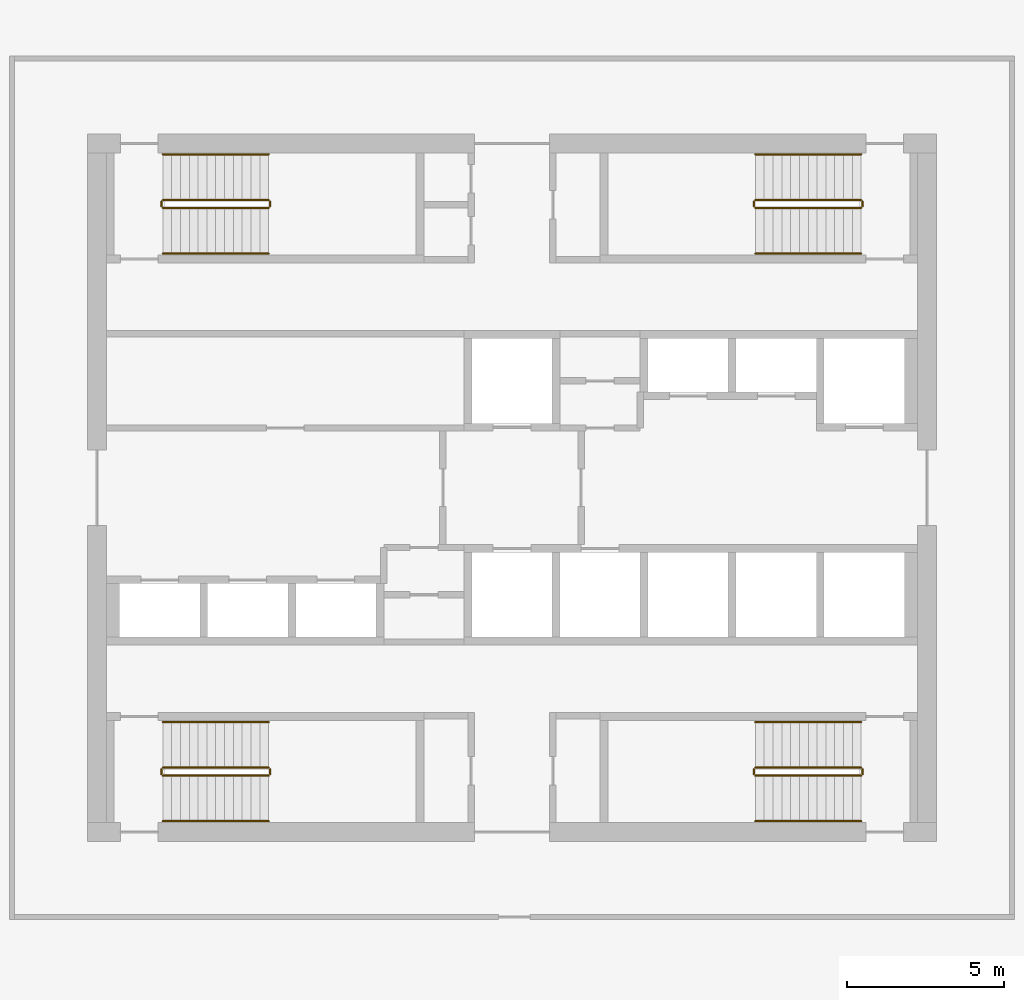
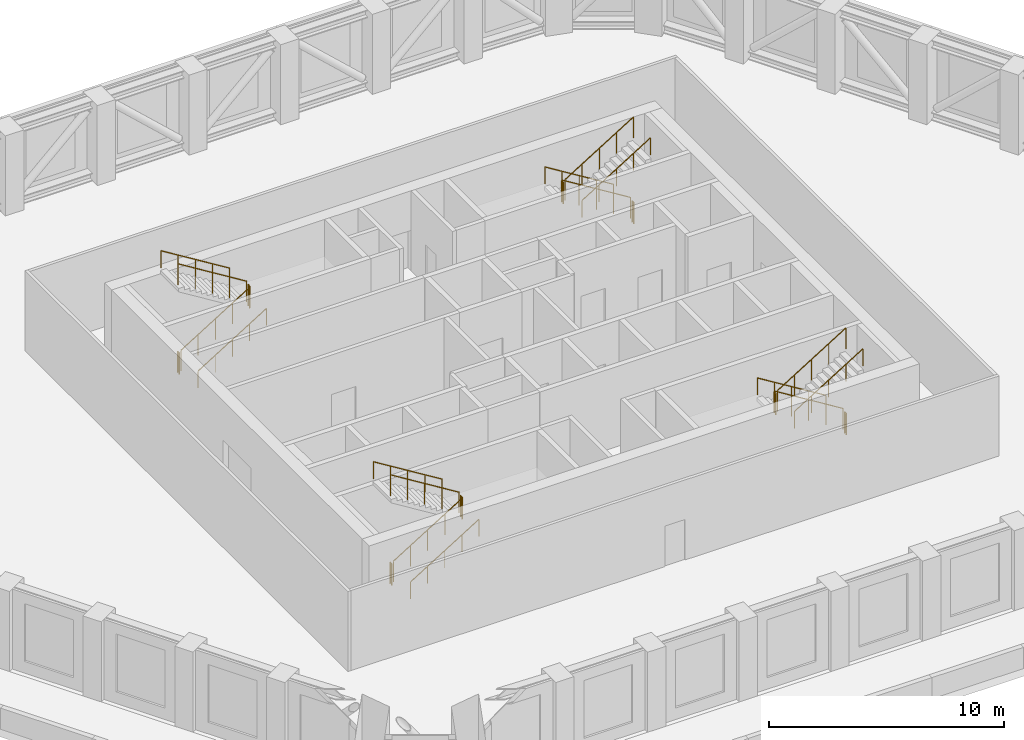
# One storey, part 14 of 14: 24 railings.
"""IFC4 building model written with IfcOpenShell, lengths in metres."""

from ifc_helpers import new_model, si_unit, direction, frame, origin, origin_2d, place, context, subcontext, project, spatial, circle, extrude, material, type_object, element, save


model = new_model("IFC4")

# Units and contexts
model_context = context("Model", 3, precision=1e-05, world=origin(), true_north=direction((0.0, 1.0)))
body_context = subcontext(model_context, "Body", "Model", "MODEL_VIEW")
ifc_project = project(units=[si_unit("LENGTHUNIT", "METRE"), si_unit("AREAUNIT", "SQUARE_METRE"), si_unit("VOLUMEUNIT", "CUBIC_METRE"), si_unit("PLANEANGLEUNIT", "RADIAN"), si_unit("MASSUNIT", "GRAM", prefix="KILO")], contexts=[model_context])

# Site, building, storey
site_placement = place(None, origin())
site = spatial("IfcSite", under=ifc_project, at=site_placement, CompositionType="ELEMENT")
building_placement = place(site_placement, origin())
building = spatial("IfcBuilding", under=site, at=building_placement, Name="Dhurran Vertical Campus", CompositionType="ELEMENT")
storey_placement = place(building_placement, frame((0.0, 0.0, 179.39990234375)))
storey = spatial("IfcBuildingStorey", under=building, at=storey_placement, Name="L44 Plant", CompositionType="ELEMENT", Elevation=179.39990234375)

# Railings
ifc_material_1 = material(Name="Stainless steel balustrade", Category="steel")
railing_type_1 = type_object("IfcRailingType", Name="co-RL-GUARD-1100", PredefinedType="GUARDRAIL", material=ifc_material_1)
railing_1_placement = place(storey_placement, frame((-11.10009765625, 8.89990234375, 0.173095703125)))
element("IfcRailing", 1, at=railing_1_placement, inside=storey, type_object=railing_type_1, Name="L44 Plant ST1 stair guard 1", PredefinedType="GUARDRAIL", context=body_context, shape_type="SweptSolid", body=[
    extrude(circle(Radius=0.02392578125, at=origin_2d()), frame((0.0, 0.0, 1.076171875), z_axis=(0.850623216509, 0.0, 0.525775754039), x_axis=(0.0, 1.0, 0.0)), (0.0, 0.0, 1.0), 3.9501953125),
    extrude(circle(Radius=0.02099609375, at=origin_2d()), origin(), (0.0, 0.0, 1.0), 1.052001953125),
    extrude(circle(Radius=0.02099609375, at=origin_2d()), frame((0.840087890625, 0.0, 0.519287109375)), (0.0, 0.0, 1.0), 1.052001953125),
    extrude(circle(Radius=0.02099609375, at=origin_2d()), frame((1.68017578125, 0.0, 1.03857421875)), (0.0, 0.0, 1.0), 1.052001953125),
    extrude(circle(Radius=0.02099609375, at=origin_2d()), frame((2.52001953125, 0.0, 1.5576171875)), (0.0, 0.0, 1.0), 1.052001953125),
    extrude(circle(Radius=0.02099609375, at=origin_2d()), frame((3.360107421875, 0.0, 2.076904296875)), (0.0, 0.0, 1.0), 1.052001953125),
])
railing_2_placement = place(storey_placement, frame((-7.68994140625, 8.949951171875, 2.25)))
element("IfcRailing", 2, at=railing_2_placement, inside=storey, type_object=railing_type_1, Name="L44 Plant ST1 stair guard 2", PredefinedType="GUARDRAIL", context=body_context, shape_type="SweptSolid", body=[
    extrude(circle(Radius=0.02392578125, at=origin_2d()), frame((0.0, 0.0, 1.076171875), z_axis=(0.0, 1.0, 0.0), x_axis=(-1.0, 0.0, 0.0)), (0.0, 0.0, 1.0), 0.150146484375),
    extrude(circle(Radius=0.02099609375, at=origin_2d()), origin(), (0.0, 0.0, 1.0), 1.052001953125),
    extrude(circle(Radius=0.02099609375, at=origin_2d()), frame((0.0, 0.150146484375, 0.0)), (0.0, 0.0, 1.0), 1.052001953125),
])
railing_3_placement = place(storey_placement, frame((-7.739990234375, 9.14990234375, 2.423095703125)))
element("IfcRailing", 3, at=railing_3_placement, inside=storey, type_object=railing_type_1, Name="L44 Plant ST1 stair guard 3", PredefinedType="GUARDRAIL", context=body_context, shape_type="SweptSolid", body=[
    extrude(circle(Radius=0.02392578125, at=origin_2d()), frame((0.0, 0.0, 1.076171875), z_axis=(-0.850623216509, 0.0, 0.525775754039), x_axis=(0.0, -1.0, 0.0)), (0.0, 0.0, 1.0), 3.9501953125),
    extrude(circle(Radius=0.02099609375, at=origin_2d()), origin(), (0.0, 0.0, 1.0), 1.052001953125),
    extrude(circle(Radius=0.02099609375, at=origin_2d()), frame((-0.840087890625, 0.0, 0.519287109375)), (0.0, 0.0, 1.0), 1.052001953125),
    extrude(circle(Radius=0.02099609375, at=origin_2d()), frame((-1.68017578125, 0.0, 1.03857421875)), (0.0, 0.0, 1.0), 1.052001953125),
    extrude(circle(Radius=0.02099609375, at=origin_2d()), frame((-2.52001953125, 0.0, 1.5576171875)), (0.0, 0.0, 1.0), 1.052001953125),
    extrude(circle(Radius=0.02099609375, at=origin_2d()), frame((-3.360107421875, 0.0, 2.076904296875)), (0.0, 0.0, 1.0), 1.052001953125),
])
railing_4_placement = place(storey_placement, frame((-11.14990234375, 8.949951171875, 0.0)))
element("IfcRailing", 4, at=railing_4_placement, inside=storey, type_object=railing_type_1, Name="L44 Plant ST1 stair guard 4", PredefinedType="GUARDRAIL", context=body_context, shape_type="SweptSolid", body=[
    extrude(circle(Radius=0.02392578125, at=origin_2d()), frame((0.0, 0.0, 1.076171875), z_axis=(0.0, 1.0, 0.0), x_axis=(-1.0, 0.0, 0.0)), (0.0, 0.0, 1.0), 0.150146484375),
    extrude(circle(Radius=0.02099609375, at=origin_2d()), origin(), (0.0, 0.0, 1.0), 1.052001953125),
    extrude(circle(Radius=0.02099609375, at=origin_2d()), frame((0.0, 0.150146484375, 0.0)), (0.0, 0.0, 1.0), 1.052001953125),
])
railing_5_placement = place(storey_placement, frame((11.10009765625, 9.14990234375, 0.173095703125)))
element("IfcRailing", 5, at=railing_5_placement, inside=storey, type_object=railing_type_1, Name="L44 Plant ST2 stair guard 1", PredefinedType="GUARDRAIL", context=body_context, shape_type="SweptSolid", body=[
    extrude(circle(Radius=0.02392578125, at=origin_2d()), frame((0.0, 0.0, 1.076171875), z_axis=(-0.850623216509, 0.0, 0.525775754039), x_axis=(0.0, -1.0, 0.0)), (0.0, 0.0, 1.0), 3.9501953125),
    extrude(circle(Radius=0.02099609375, at=origin_2d()), origin(), (0.0, 0.0, 1.0), 1.052001953125),
    extrude(circle(Radius=0.02099609375, at=origin_2d()), frame((-0.840087890625, 0.0, 0.519287109375)), (0.0, 0.0, 1.0), 1.052001953125),
    extrude(circle(Radius=0.02099609375, at=origin_2d()), frame((-1.68017578125, 0.0, 1.03857421875)), (0.0, 0.0, 1.0), 1.052001953125),
    extrude(circle(Radius=0.02099609375, at=origin_2d()), frame((-2.52001953125, 0.0, 1.5576171875)), (0.0, 0.0, 1.0), 1.052001953125),
    extrude(circle(Radius=0.02099609375, at=origin_2d()), frame((-3.360107421875, 0.0, 2.076904296875)), (0.0, 0.0, 1.0), 1.052001953125),
])
railing_6_placement = place(storey_placement, frame((7.68994140625, 9.10009765625, 2.25)))
element("IfcRailing", 6, at=railing_6_placement, inside=storey, type_object=railing_type_1, Name="L44 Plant ST2 stair guard 2", PredefinedType="GUARDRAIL", context=body_context, shape_type="SweptSolid", body=[
    extrude(circle(Radius=0.02392578125, at=origin_2d()), frame((0.0, 0.0, 1.076171875), z_axis=(0.0, -1.0, 0.0), x_axis=(1.0, 0.0, 0.0)), (0.0, 0.0, 1.0), 0.150146484375),
    extrude(circle(Radius=0.02099609375, at=origin_2d()), origin(), (0.0, 0.0, 1.0), 1.052001953125),
    extrude(circle(Radius=0.02099609375, at=origin_2d()), frame((0.0, -0.150146484375, 0.0)), (0.0, 0.0, 1.0), 1.052001953125),
])
railing_7_placement = place(storey_placement, frame((7.739990234375, 8.89990234375, 2.423095703125)))
element("IfcRailing", 7, at=railing_7_placement, inside=storey, type_object=railing_type_1, Name="L44 Plant ST2 stair guard 3", PredefinedType="GUARDRAIL", context=body_context, shape_type="SweptSolid", body=[
    extrude(circle(Radius=0.02392578125, at=origin_2d()), frame((0.0, 0.0, 1.076171875), z_axis=(0.850623216509, 0.0, 0.525775754039), x_axis=(0.0, 1.0, 0.0)), (0.0, 0.0, 1.0), 3.9501953125),
    extrude(circle(Radius=0.02099609375, at=origin_2d()), origin(), (0.0, 0.0, 1.0), 1.052001953125),
    extrude(circle(Radius=0.02099609375, at=origin_2d()), frame((0.840087890625, 0.0, 0.519287109375)), (0.0, 0.0, 1.0), 1.052001953125),
    extrude(circle(Radius=0.02099609375, at=origin_2d()), frame((1.68017578125, 0.0, 1.03857421875)), (0.0, 0.0, 1.0), 1.052001953125),
    extrude(circle(Radius=0.02099609375, at=origin_2d()), frame((2.52001953125, 0.0, 1.5576171875)), (0.0, 0.0, 1.0), 1.052001953125),
    extrude(circle(Radius=0.02099609375, at=origin_2d()), frame((3.360107421875, 0.0, 2.076904296875)), (0.0, 0.0, 1.0), 1.052001953125),
])
railing_8_placement = place(storey_placement, frame((11.14990234375, 9.10009765625, 0.0)))
element("IfcRailing", 8, at=railing_8_placement, inside=storey, type_object=railing_type_1, Name="L44 Plant ST2 stair guard 4", PredefinedType="GUARDRAIL", context=body_context, shape_type="SweptSolid", body=[
    extrude(circle(Radius=0.02392578125, at=origin_2d()), frame((0.0, 0.0, 1.076171875), z_axis=(0.0, -1.0, 0.0), x_axis=(1.0, 0.0, 0.0)), (0.0, 0.0, 1.0), 0.150146484375),
    extrude(circle(Radius=0.02099609375, at=origin_2d()), origin(), (0.0, 0.0, 1.0), 1.052001953125),
    extrude(circle(Radius=0.02099609375, at=origin_2d()), frame((0.0, -0.150146484375, 0.0)), (0.0, 0.0, 1.0), 1.052001953125),
])
railing_9_placement = place(storey_placement, frame((-11.10009765625, -9.14990234375, 0.173095703125)))
element("IfcRailing", 9, at=railing_9_placement, inside=storey, type_object=railing_type_1, Name="L44 Plant ST3 stair guard 1", PredefinedType="GUARDRAIL", context=body_context, shape_type="SweptSolid", body=[
    extrude(circle(Radius=0.02392578125, at=origin_2d()), frame((0.0, 0.0, 1.076171875), z_axis=(0.850623216509, 0.0, 0.525775754039), x_axis=(0.0, 1.0, 0.0)), (0.0, 0.0, 1.0), 3.9501953125),
    extrude(circle(Radius=0.02099609375, at=origin_2d()), origin(), (0.0, 0.0, 1.0), 1.052001953125),
    extrude(circle(Radius=0.02099609375, at=origin_2d()), frame((0.840087890625, 0.0, 0.519287109375)), (0.0, 0.0, 1.0), 1.052001953125),
    extrude(circle(Radius=0.02099609375, at=origin_2d()), frame((1.68017578125, 0.0, 1.03857421875)), (0.0, 0.0, 1.0), 1.052001953125),
    extrude(circle(Radius=0.02099609375, at=origin_2d()), frame((2.52001953125, 0.0, 1.5576171875)), (0.0, 0.0, 1.0), 1.052001953125),
    extrude(circle(Radius=0.02099609375, at=origin_2d()), frame((3.360107421875, 0.0, 2.076904296875)), (0.0, 0.0, 1.0), 1.052001953125),
])
railing_10_placement = place(storey_placement, frame((-7.68994140625, -9.10009765625, 2.25)))
element("IfcRailing", 10, at=railing_10_placement, inside=storey, type_object=railing_type_1, Name="L44 Plant ST3 stair guard 2", PredefinedType="GUARDRAIL", context=body_context, shape_type="SweptSolid", body=[
    extrude(circle(Radius=0.02392578125, at=origin_2d()), frame((0.0, 0.0, 1.076171875), z_axis=(0.0, 1.0, 0.0), x_axis=(-1.0, 0.0, 0.0)), (0.0, 0.0, 1.0), 0.150146484375),
    extrude(circle(Radius=0.02099609375, at=origin_2d()), origin(), (0.0, 0.0, 1.0), 1.052001953125),
    extrude(circle(Radius=0.02099609375, at=origin_2d()), frame((0.0, 0.150146484375, 0.0)), (0.0, 0.0, 1.0), 1.052001953125),
])
railing_11_placement = place(storey_placement, frame((-7.739990234375, -8.89990234375, 2.423095703125)))
element("IfcRailing", 11, at=railing_11_placement, inside=storey, type_object=railing_type_1, Name="L44 Plant ST3 stair guard 3", PredefinedType="GUARDRAIL", context=body_context, shape_type="SweptSolid", body=[
    extrude(circle(Radius=0.02392578125, at=origin_2d()), frame((0.0, 0.0, 1.076171875), z_axis=(-0.850623216509, 0.0, 0.525775754039), x_axis=(0.0, -1.0, 0.0)), (0.0, 0.0, 1.0), 3.9501953125),
    extrude(circle(Radius=0.02099609375, at=origin_2d()), origin(), (0.0, 0.0, 1.0), 1.052001953125),
    extrude(circle(Radius=0.02099609375, at=origin_2d()), frame((-0.840087890625, 0.0, 0.519287109375)), (0.0, 0.0, 1.0), 1.052001953125),
    extrude(circle(Radius=0.02099609375, at=origin_2d()), frame((-1.68017578125, 0.0, 1.03857421875)), (0.0, 0.0, 1.0), 1.052001953125),
    extrude(circle(Radius=0.02099609375, at=origin_2d()), frame((-2.52001953125, 0.0, 1.5576171875)), (0.0, 0.0, 1.0), 1.052001953125),
    extrude(circle(Radius=0.02099609375, at=origin_2d()), frame((-3.360107421875, 0.0, 2.076904296875)), (0.0, 0.0, 1.0), 1.052001953125),
])
railing_12_placement = place(storey_placement, frame((-11.14990234375, -9.10009765625, 0.0)))
element("IfcRailing", 12, at=railing_12_placement, inside=storey, type_object=railing_type_1, Name="L44 Plant ST3 stair guard 4", PredefinedType="GUARDRAIL", context=body_context, shape_type="SweptSolid", body=[
    extrude(circle(Radius=0.02392578125, at=origin_2d()), frame((0.0, 0.0, 1.076171875), z_axis=(0.0, 1.0, 0.0), x_axis=(-1.0, 0.0, 0.0)), (0.0, 0.0, 1.0), 0.150146484375),
    extrude(circle(Radius=0.02099609375, at=origin_2d()), origin(), (0.0, 0.0, 1.0), 1.052001953125),
    extrude(circle(Radius=0.02099609375, at=origin_2d()), frame((0.0, 0.150146484375, 0.0)), (0.0, 0.0, 1.0), 1.052001953125),
])
railing_13_placement = place(storey_placement, frame((11.10009765625, -8.89990234375, 0.173095703125)))
element("IfcRailing", 13, at=railing_13_placement, inside=storey, type_object=railing_type_1, Name="L44 Plant ST4 stair guard 1", PredefinedType="GUARDRAIL", context=body_context, shape_type="SweptSolid", body=[
    extrude(circle(Radius=0.02392578125, at=origin_2d()), frame((0.0, 0.0, 1.076171875), z_axis=(-0.850623216509, 0.0, 0.525775754039), x_axis=(0.0, -1.0, 0.0)), (0.0, 0.0, 1.0), 3.9501953125),
    extrude(circle(Radius=0.02099609375, at=origin_2d()), origin(), (0.0, 0.0, 1.0), 1.052001953125),
    extrude(circle(Radius=0.02099609375, at=origin_2d()), frame((-0.840087890625, 0.0, 0.519287109375)), (0.0, 0.0, 1.0), 1.052001953125),
    extrude(circle(Radius=0.02099609375, at=origin_2d()), frame((-1.68017578125, 0.0, 1.03857421875)), (0.0, 0.0, 1.0), 1.052001953125),
    extrude(circle(Radius=0.02099609375, at=origin_2d()), frame((-2.52001953125, 0.0, 1.5576171875)), (0.0, 0.0, 1.0), 1.052001953125),
    extrude(circle(Radius=0.02099609375, at=origin_2d()), frame((-3.360107421875, 0.0, 2.076904296875)), (0.0, 0.0, 1.0), 1.052001953125),
])
railing_14_placement = place(storey_placement, frame((7.68994140625, -8.949951171875, 2.25)))
element("IfcRailing", 14, at=railing_14_placement, inside=storey, type_object=railing_type_1, Name="L44 Plant ST4 stair guard 2", PredefinedType="GUARDRAIL", context=body_context, shape_type="SweptSolid", body=[
    extrude(circle(Radius=0.02392578125, at=origin_2d()), frame((0.0, 0.0, 1.076171875), z_axis=(0.0, -1.0, 0.0), x_axis=(1.0, 0.0, 0.0)), (0.0, 0.0, 1.0), 0.150146484375),
    extrude(circle(Radius=0.02099609375, at=origin_2d()), origin(), (0.0, 0.0, 1.0), 1.052001953125),
    extrude(circle(Radius=0.02099609375, at=origin_2d()), frame((0.0, -0.150146484375, 0.0)), (0.0, 0.0, 1.0), 1.052001953125),
])
railing_15_placement = place(storey_placement, frame((7.739990234375, -9.14990234375, 2.423095703125)))
element("IfcRailing", 15, at=railing_15_placement, inside=storey, type_object=railing_type_1, Name="L44 Plant ST4 stair guard 3", PredefinedType="GUARDRAIL", context=body_context, shape_type="SweptSolid", body=[
    extrude(circle(Radius=0.02392578125, at=origin_2d()), frame((0.0, 0.0, 1.076171875), z_axis=(0.850623216509, 0.0, 0.525775754039), x_axis=(0.0, 1.0, 0.0)), (0.0, 0.0, 1.0), 3.9501953125),
    extrude(circle(Radius=0.02099609375, at=origin_2d()), origin(), (0.0, 0.0, 1.0), 1.052001953125),
    extrude(circle(Radius=0.02099609375, at=origin_2d()), frame((0.840087890625, 0.0, 0.519287109375)), (0.0, 0.0, 1.0), 1.052001953125),
    extrude(circle(Radius=0.02099609375, at=origin_2d()), frame((1.68017578125, 0.0, 1.03857421875)), (0.0, 0.0, 1.0), 1.052001953125),
    extrude(circle(Radius=0.02099609375, at=origin_2d()), frame((2.52001953125, 0.0, 1.5576171875)), (0.0, 0.0, 1.0), 1.052001953125),
    extrude(circle(Radius=0.02099609375, at=origin_2d()), frame((3.360107421875, 0.0, 2.076904296875)), (0.0, 0.0, 1.0), 1.052001953125),
])
railing_16_placement = place(storey_placement, frame((11.14990234375, -8.949951171875, 0.0)))
element("IfcRailing", 16, at=railing_16_placement, inside=storey, type_object=railing_type_1, Name="L44 Plant ST4 stair guard 4", PredefinedType="GUARDRAIL", context=body_context, shape_type="SweptSolid", body=[
    extrude(circle(Radius=0.02392578125, at=origin_2d()), frame((0.0, 0.0, 1.076171875), z_axis=(0.0, -1.0, 0.0), x_axis=(1.0, 0.0, 0.0)), (0.0, 0.0, 1.0), 0.150146484375),
    extrude(circle(Radius=0.02099609375, at=origin_2d()), origin(), (0.0, 0.0, 1.0), 1.052001953125),
    extrude(circle(Radius=0.02099609375, at=origin_2d()), frame((0.0, -0.150146484375, 0.0)), (0.0, 0.0, 1.0), 1.052001953125),
])
ifc_material_2 = material(Name="Stainless steel handrail", Category="steel")
railing_type_2 = type_object("IfcRailingType", Name="co-RL-HANDRAIL-900", PredefinedType="HANDRAIL", material=ifc_material_2)
railing_17_placement = place(storey_placement, frame((-11.10009765625, 7.449951171875, 0.173095703125)))
element("IfcRailing", 17, at=railing_17_placement, inside=storey, type_object=railing_type_2, Name="L44 Plant ST1 stair handrail 1", PredefinedType="HANDRAIL", context=body_context, shape_type="SweptSolid", body=[
    extrude(circle(Radius=0.02392578125, at=origin_2d()), frame((0.0, 0.0, 0.8759765625), z_axis=(0.850623216509, 0.0, 0.525775754039), x_axis=(0.0, 1.0, 0.0)), (0.0, 0.0, 1.0), 3.9501953125),
    extrude(circle(Radius=0.02099609375, at=origin_2d()), origin(), (0.0, 0.0, 1.0), 0.851806640625),
    extrude(circle(Radius=0.02099609375, at=origin_2d()), frame((0.840087890625, 0.0, 0.519287109375)), (0.0, 0.0, 1.0), 0.851806640625),
    extrude(circle(Radius=0.02099609375, at=origin_2d()), frame((1.68017578125, 0.0, 1.03857421875)), (0.0, 0.0, 1.0), 0.851806640625),
    extrude(circle(Radius=0.02099609375, at=origin_2d()), frame((2.52001953125, 0.0, 1.5576171875)), (0.0, 0.0, 1.0), 0.851806640625),
    extrude(circle(Radius=0.02099609375, at=origin_2d()), frame((3.360107421875, 0.0, 2.076904296875)), (0.0, 0.0, 1.0), 0.851806640625),
])
for number, where, name in (
    (18, (-7.739990234375, 10.60009765625, 2.423095703125), "L44 Plant ST1 stair handrail 2"),
    (19, (11.10009765625, 10.60009765625, 0.173095703125), "L44 Plant ST2 stair handrail 1"),
):
    element("IfcRailing", number, at=place(storey_placement, frame(where)), inside=storey, type_object=railing_type_2, Name=name, PredefinedType="HANDRAIL", context=body_context, shape_type="SweptSolid", body=[
        extrude(circle(Radius=0.02392578125, at=origin_2d()), frame((0.0, 0.0, 0.8759765625), z_axis=(-0.850623216509, 0.0, 0.525775754039), x_axis=(0.0, -1.0, 0.0)), (0.0, 0.0, 1.0), 3.9501953125),
        extrude(circle(Radius=0.02099609375, at=origin_2d()), origin(), (0.0, 0.0, 1.0), 0.851806640625),
        extrude(circle(Radius=0.02099609375, at=origin_2d()), frame((-0.840087890625, 0.0, 0.519287109375)), (0.0, 0.0, 1.0), 0.851806640625),
        extrude(circle(Radius=0.02099609375, at=origin_2d()), frame((-1.68017578125, 0.0, 1.03857421875)), (0.0, 0.0, 1.0), 0.851806640625),
        extrude(circle(Radius=0.02099609375, at=origin_2d()), frame((-2.52001953125, 0.0, 1.5576171875)), (0.0, 0.0, 1.0), 0.851806640625),
        extrude(circle(Radius=0.02099609375, at=origin_2d()), frame((-3.360107421875, 0.0, 2.076904296875)), (0.0, 0.0, 1.0), 0.851806640625),
    ])
for number, where, name in (
    (20, (7.739990234375, 7.449951171875, 2.423095703125), "L44 Plant ST2 stair handrail 2"),
    (21, (-11.10009765625, -10.60009765625, 0.173095703125), "L44 Plant ST3 stair handrail 1"),
):
    element("IfcRailing", number, at=place(storey_placement, frame(where)), inside=storey, type_object=railing_type_2, Name=name, PredefinedType="HANDRAIL", context=body_context, shape_type="SweptSolid", body=[
        extrude(circle(Radius=0.02392578125, at=origin_2d()), frame((0.0, 0.0, 0.8759765625), z_axis=(0.850623216509, 0.0, 0.525775754039), x_axis=(0.0, 1.0, 0.0)), (0.0, 0.0, 1.0), 3.9501953125),
        extrude(circle(Radius=0.02099609375, at=origin_2d()), origin(), (0.0, 0.0, 1.0), 0.851806640625),
        extrude(circle(Radius=0.02099609375, at=origin_2d()), frame((0.840087890625, 0.0, 0.519287109375)), (0.0, 0.0, 1.0), 0.851806640625),
        extrude(circle(Radius=0.02099609375, at=origin_2d()), frame((1.68017578125, 0.0, 1.03857421875)), (0.0, 0.0, 1.0), 0.851806640625),
        extrude(circle(Radius=0.02099609375, at=origin_2d()), frame((2.52001953125, 0.0, 1.5576171875)), (0.0, 0.0, 1.0), 0.851806640625),
        extrude(circle(Radius=0.02099609375, at=origin_2d()), frame((3.360107421875, 0.0, 2.076904296875)), (0.0, 0.0, 1.0), 0.851806640625),
    ])
for number, where, name in (
    (22, (-7.739990234375, -7.449951171875, 2.423095703125), "L44 Plant ST3 stair handrail 2"),
    (23, (11.10009765625, -7.449951171875, 0.173095703125), "L44 Plant ST4 stair handrail 1"),
):
    element("IfcRailing", number, at=place(storey_placement, frame(where)), inside=storey, type_object=railing_type_2, Name=name, PredefinedType="HANDRAIL", context=body_context, shape_type="SweptSolid", body=[
        extrude(circle(Radius=0.02392578125, at=origin_2d()), frame((0.0, 0.0, 0.8759765625), z_axis=(-0.850623216509, 0.0, 0.525775754039), x_axis=(0.0, -1.0, 0.0)), (0.0, 0.0, 1.0), 3.9501953125),
        extrude(circle(Radius=0.02099609375, at=origin_2d()), origin(), (0.0, 0.0, 1.0), 0.851806640625),
        extrude(circle(Radius=0.02099609375, at=origin_2d()), frame((-0.840087890625, 0.0, 0.519287109375)), (0.0, 0.0, 1.0), 0.851806640625),
        extrude(circle(Radius=0.02099609375, at=origin_2d()), frame((-1.68017578125, 0.0, 1.03857421875)), (0.0, 0.0, 1.0), 0.851806640625),
        extrude(circle(Radius=0.02099609375, at=origin_2d()), frame((-2.52001953125, 0.0, 1.5576171875)), (0.0, 0.0, 1.0), 0.851806640625),
        extrude(circle(Radius=0.02099609375, at=origin_2d()), frame((-3.360107421875, 0.0, 2.076904296875)), (0.0, 0.0, 1.0), 0.851806640625),
    ])
railing_18_placement = place(storey_placement, frame((7.739990234375, -10.60009765625, 2.423095703125)))
element("IfcRailing", 24, at=railing_18_placement, inside=storey, type_object=railing_type_2, Name="L44 Plant ST4 stair handrail 2", PredefinedType="HANDRAIL", context=body_context, shape_type="SweptSolid", body=[
    extrude(circle(Radius=0.02392578125, at=origin_2d()), frame((0.0, 0.0, 0.8759765625), z_axis=(0.850623216509, 0.0, 0.525775754039), x_axis=(0.0, 1.0, 0.0)), (0.0, 0.0, 1.0), 3.9501953125),
    extrude(circle(Radius=0.02099609375, at=origin_2d()), origin(), (0.0, 0.0, 1.0), 0.851806640625),
    extrude(circle(Radius=0.02099609375, at=origin_2d()), frame((0.840087890625, 0.0, 0.519287109375)), (0.0, 0.0, 1.0), 0.851806640625),
    extrude(circle(Radius=0.02099609375, at=origin_2d()), frame((1.68017578125, 0.0, 1.03857421875)), (0.0, 0.0, 1.0), 0.851806640625),
    extrude(circle(Radius=0.02099609375, at=origin_2d()), frame((2.52001953125, 0.0, 1.5576171875)), (0.0, 0.0, 1.0), 0.851806640625),
    extrude(circle(Radius=0.02099609375, at=origin_2d()), frame((3.360107421875, 0.0, 2.076904296875)), (0.0, 0.0, 1.0), 0.851806640625),
])

save(model, "model.ifc")
